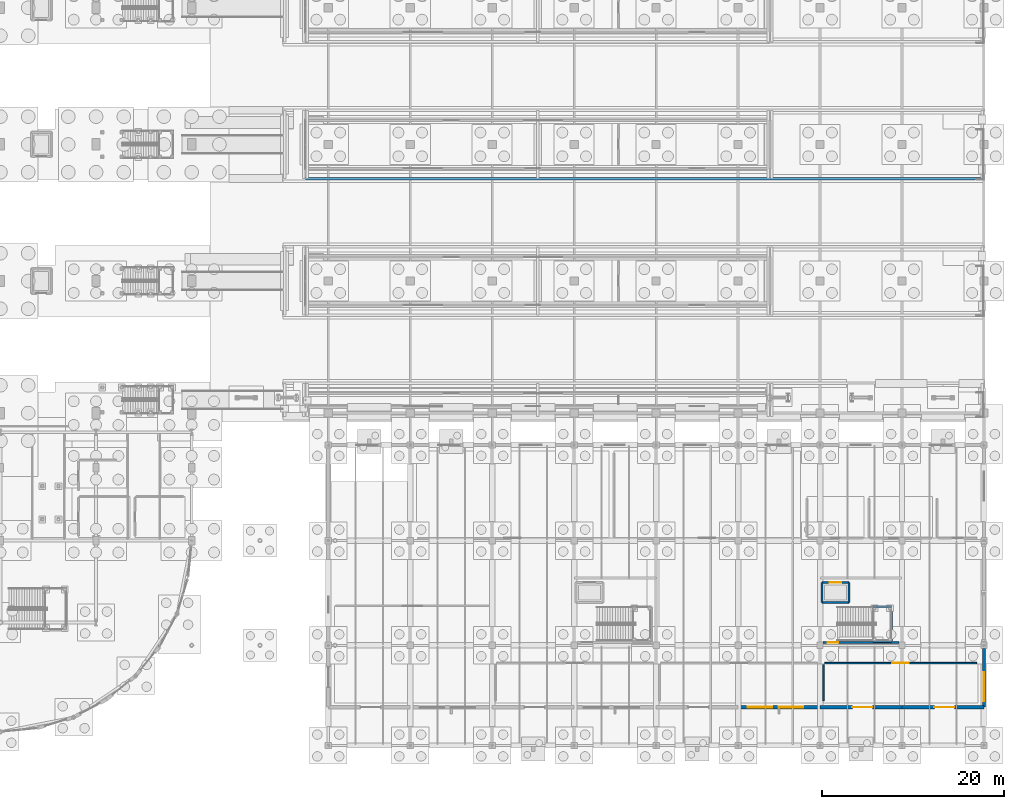
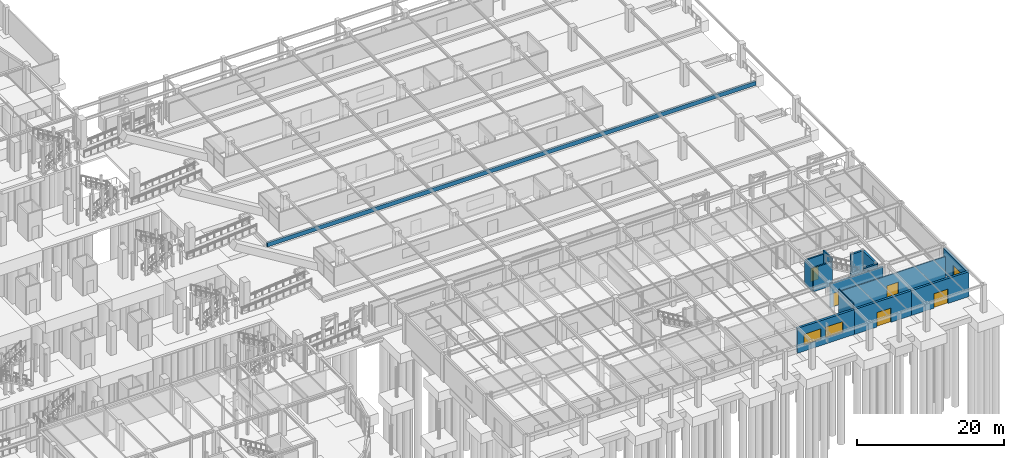
# One storey, part 109 of 160: 15 walls, 5 doors, 3 windows, 8 openings.
"""IFC4 building model written with IfcOpenShell, lengths in metres."""

from ifc_helpers import new_model, si_unit, direction, frame, frame_2d, origin, place, context, subcontext, project, spatial, rectangle, extrude, material, layer, layer_set, type_object, element, fill, save


model = new_model("IFC4")

# Units and contexts
model_context = context("Model", 3, precision=1e-05, world=origin(), true_north=direction((0.0, 1.0)))
body_context = subcontext(model_context, "Body", "Model", "MODEL_VIEW")
ifc_project = project(units=[si_unit("LENGTHUNIT", "METRE"), si_unit("AREAUNIT", "SQUARE_METRE"), si_unit("VOLUMEUNIT", "CUBIC_METRE"), si_unit("PLANEANGLEUNIT", "RADIAN"), si_unit("MASSUNIT", "GRAM", prefix="KILO")], contexts=[model_context])

# Site, building, storey
site_placement = place(None, origin())
site = spatial("IfcSite", under=ifc_project, at=site_placement, CompositionType="ELEMENT")
building_placement = place(site_placement, origin())
building = spatial("IfcBuilding", under=site, at=building_placement, Name="Marlcrest Central Station", CompositionType="ELEMENT")
storey_placement = place(building_placement, origin())
storey = spatial("IfcBuildingStorey", under=building, at=storey_placement, Name="L00", CompositionType="ELEMENT", Elevation=0.0)

# Wall, openings, windows
ifc_material_1 = material(Name="St. Thomas limestone on Concrete C40/50", Category="masonry")
ifc_layer_1 = layer(ifc_material_1, 0.360107421875, Name="EW-06")
ifc_layer_set_1 = layer_set([ifc_layer_1], Name="St. Thomas limestone on Concrete C40/50")
wall_type_1 = type_object("IfcWallType", Name="EW-06", PredefinedType="SOLIDWALL", material=ifc_layer_set_1)
wall_1_placement = place(storey_placement, frame((198.0, 4.199951171875, 0.0), z_axis=(0.0, 0.0, 1.0), x_axis=(-1.0, 0.0, 0.0)))
wall_1 = element("IfcWall", 1, at=wall_1_placement, inside=storey, type_object=wall_type_1, Name="ewall-L00-0047", PredefinedType="SOLIDWALL", context=body_context, shape_type="SweptSolid", body=[
    extrude(rectangle(XDim=9.0, YDim=0.360107421875, at=frame_2d((4.5, 0.0))), origin(), (0.0, 0.0, 1.0), 4.14990234375),
])
opening_1_placement = place(wall_1_placement, frame((1.85009765625, 0.0, 1.0)))
opening_1 = element("IfcOpeningElement", 2, at=opening_1_placement, cuts=wall_1, Name="Opening WN-06", PredefinedType="OPENING", context=body_context, shape_type="SweptSolid", body=[
    extrude(rectangle(XDim=2.699951171875, YDim=1.800048828125, at=frame_2d((1.35009765625, 0.89990234375))), frame((0.0, 0.18994140625, 0.0), z_axis=(0.0, -1.0, 0.0), x_axis=(1.0, 0.0, 0.0)), (0.0, 0.0, 1.0), 0.380126953125),
])
opening_2_placement = place(wall_1_placement, frame((5.25, 0.0, 1.0)))
opening_2 = element("IfcOpeningElement", 3, at=opening_2_placement, cuts=wall_1, Name="Opening WN-06", PredefinedType="OPENING", context=body_context, shape_type="SweptSolid", body=[
    extrude(rectangle(XDim=2.699951171875, YDim=1.800048828125, at=frame_2d((1.35009765625, 0.89990234375))), frame((0.0, 0.18994140625, 0.0), z_axis=(0.0, -1.0, 0.0), x_axis=(1.0, 0.0, 0.0)), (0.0, 0.0, 1.0), 0.380126953125),
])
ifc_material_2 = material(Name="Thermally broken bronze-anodised aluminium and laminated low-E glass", Category="aluminium")
window_type_1 = type_object("IfcWindowType", Name="WN-06", PartitioningType="SINGLE_PANEL", PredefinedType="WINDOW", material=ifc_material_2)
window_1_placement = place(opening_1_placement, origin())
window_1 = element("IfcWindow", 4, at=window_1_placement, inside=storey, type_object=window_type_1, Name="ewin-L00-0015", OverallHeight=1.800048828125, OverallWidth=2.699951171875, PartitioningType="SINGLE_PANEL", PredefinedType="WINDOW", context=body_context, shape_type="SweptSolid", body=[
    extrude(rectangle(XDim=2.699951171875, YDim=1.800048828125, at=frame_2d((1.35009765625, 0.89990234375))), frame((0.0, 0.030029296875, 0.0), z_axis=(0.0, -1.0, 0.0), x_axis=(1.0, 0.0, 0.0)), (0.0, 0.0, 1.0), 0.06005859375),
])
fill(opening_1, window_1)
window_2_placement = place(opening_2_placement, origin())
window_2 = element("IfcWindow", 5, at=window_2_placement, inside=storey, type_object=window_type_1, Name="ewin-L00-0016", OverallHeight=1.800048828125, OverallWidth=2.699951171875, PartitioningType="SINGLE_PANEL", PredefinedType="WINDOW", context=body_context, shape_type="SweptSolid", body=[
    extrude(rectangle(XDim=2.699951171875, YDim=1.800048828125, at=frame_2d((1.35009765625, 0.89990234375))), frame((0.0, 0.030029296875, 0.0), z_axis=(0.0, -1.0, 0.0), x_axis=(1.0, 0.0, 0.0)), (0.0, 0.0, 1.0), 0.06005859375),
])
fill(opening_2, window_2)

# Wall, opening, door
wall_2_placement = place(storey_placement, frame((207.0, 4.199951171875, 0.0), z_axis=(0.0, 0.0, 1.0), x_axis=(-1.0, 0.0, 0.0)))
wall_2 = element("IfcWall", 6, at=wall_2_placement, inside=storey, type_object=wall_type_1, Name="ewall-L00-0049", PredefinedType="SOLIDWALL", context=body_context, shape_type="SweptSolid", body=[
    extrude(rectangle(XDim=9.0, YDim=0.360107421875, at=frame_2d((4.5, 0.0))), origin(), (0.0, 0.0, 1.0), 4.14990234375),
])
opening_3_placement = place(wall_2_placement, frame((3.25, 0.0, 0.0)))
opening_3 = element("IfcOpeningElement", 7, at=opening_3_placement, cuts=wall_2, Name="Opening ED-01", PredefinedType="OPENING", context=body_context, shape_type="SweptSolid", body=[
    extrude(rectangle(XDim=2.199951171875, YDim=2.39990234375, at=frame_2d((1.10009765625, 1.199951171875))), frame((0.0, 0.18994140625, 0.0), z_axis=(0.0, -1.0, 0.0), x_axis=(1.0, 0.0, 0.0)), (0.0, 0.0, 1.0), 0.380126953125),
])
ifc_material_3 = material(Name="Thermally broken anodised aluminium and laminated safety glass", Category="aluminium")
door_type_1 = type_object("IfcDoorType", Name="ED-01", OperationType="DOUBLE_DOOR_SINGLE_SWING", PredefinedType="DOOR", material=ifc_material_3)
door_1_placement = place(opening_3_placement, origin())
door_1 = element("IfcDoor", 8, at=door_1_placement, inside=storey, type_object=door_type_1, Name="Retail Arcade Street Exit Door 025", OperationType="DOUBLE_DOOR_SINGLE_SWING", OverallHeight=2.39990234375, OverallWidth=2.199951171875, PredefinedType="DOOR", context=body_context, shape_type="SweptSolid", body=[
    extrude(rectangle(XDim=2.199951171875, YDim=2.39990234375, at=frame_2d((1.10009765625, 1.199951171875))), frame((0.0, 0.02490234375, 0.0), z_axis=(0.0, -1.0, 0.0), x_axis=(1.0, 0.0, 0.0)), (0.0, 0.0, 1.0), 0.050048828125),
])
fill(opening_3, door_1)

wall_3_placement = place(storey_placement, frame((216.0, 4.199951171875, 0.0), z_axis=(0.0, 0.0, 1.0), x_axis=(-1.0, 0.0, 0.0)))
wall_3 = element("IfcWall", 9, at=wall_3_placement, inside=storey, type_object=wall_type_1, Name="ewall-L00-0051", PredefinedType="SOLIDWALL", context=body_context, shape_type="SweptSolid", body=[
    extrude(rectangle(XDim=9.0, YDim=0.360107421875, at=frame_2d((4.5, 0.0))), origin(), (0.0, 0.0, 1.0), 4.14990234375),
])
opening_4_placement = place(wall_3_placement, frame((3.25, 0.0, 0.0)))
opening_4 = element("IfcOpeningElement", 10, at=opening_4_placement, cuts=wall_3, Name="Opening ED-01", PredefinedType="OPENING", context=body_context, shape_type="SweptSolid", body=[
    extrude(rectangle(XDim=2.199951171875, YDim=2.39990234375, at=frame_2d((1.10009765625, 1.199951171875))), frame((0.0, 0.18994140625, 0.0), z_axis=(0.0, -1.0, 0.0), x_axis=(1.0, 0.0, 0.0)), (0.0, 0.0, 1.0), 0.380126953125),
])
door_2_placement = place(opening_4_placement, origin())
door_2 = element("IfcDoor", 11, at=door_2_placement, inside=storey, type_object=door_type_1, Name="Retail Arcade Street Exit Door 027", OperationType="DOUBLE_DOOR_SINGLE_SWING", OverallHeight=2.39990234375, OverallWidth=2.199951171875, PredefinedType="DOOR", context=body_context, shape_type="SweptSolid", body=[
    extrude(rectangle(XDim=2.199951171875, YDim=2.39990234375, at=frame_2d((1.10009765625, 1.199951171875))), frame((0.0, 0.02490234375, 0.0), z_axis=(0.0, -1.0, 0.0), x_axis=(1.0, 0.0, 0.0)), (0.0, 0.0, 1.0), 0.050048828125),
])
fill(opening_4, door_2)

# Wall, opening, window
wall_4_placement = place(storey_placement, frame((216.0, 10.64990234375, 0.0), z_axis=(0.0, 0.0, 1.0), x_axis=(0.0, -1.0, 0.0)))
wall_4 = element("IfcWall", 12, at=wall_4_placement, inside=storey, type_object=wall_type_1, Name="ewall-L00-0054", PredefinedType="SOLIDWALL", context=body_context, shape_type="SweptSolid", body=[
    extrude(rectangle(XDim=6.449951171875, YDim=0.360107421875, at=frame_2d((3.22509765625, 0.0))), origin(), (0.0, 0.0, 1.0), 4.14990234375),
])
opening_5_placement = place(wall_4_placement, frame((2.60009765625, 0.0, 1.050048828125)))
opening_5 = element("IfcOpeningElement", 13, at=opening_5_placement, cuts=wall_4, Name="Opening WN-07", PredefinedType="OPENING", context=body_context, shape_type="SweptSolid", body=[
    extrude(rectangle(XDim=3.199951171875, YDim=1.800048828125, at=frame_2d((1.60009765625, 0.89990234375))), frame((0.0, 0.18994140625, 0.0), z_axis=(0.0, -1.0, 0.0), x_axis=(1.0, 0.0, 0.0)), (0.0, 0.0, 1.0), 0.380126953125),
])
window_type_2 = type_object("IfcWindowType", Name="WN-07", PartitioningType="SINGLE_PANEL", PredefinedType="WINDOW", material=ifc_material_2)
window_3_placement = place(opening_5_placement, origin())
window_3 = element("IfcWindow", 14, at=window_3_placement, inside=storey, type_object=window_type_2, Name="ewin-L00-0019", OverallHeight=1.800048828125, OverallWidth=3.199951171875, PartitioningType="SINGLE_PANEL", PredefinedType="WINDOW", context=body_context, shape_type="SweptSolid", body=[
    extrude(rectangle(XDim=3.199951171875, YDim=1.800048828125, at=frame_2d((1.60009765625, 0.89990234375))), frame((0.0, 0.030029296875, 0.0), z_axis=(0.0, -1.0, 0.0), x_axis=(1.0, 0.0, 0.0)), (0.0, 0.0, 1.0), 0.06005859375),
])
fill(opening_5, window_3)

# Wall, opening, door
ifc_material_4 = material(Name="Retail tenancy demising partition")
ifc_layer_2 = layer(ifc_material_4, 0.14990234375, Name="PT-05")
ifc_layer_set_2 = layer_set([ifc_layer_2], Name="Retail tenancy demising partition")
wall_type_2 = type_object("IfcWallType", Name="PT-05", PredefinedType="PARTITIONING", material=ifc_layer_set_2)
wall_5_placement = place(storey_placement, frame((198.510009765625, 9.0400390625, 0.0), z_axis=(0.0, 0.0, 1.0), x_axis=(1.0, 0.0, 0.0)))
wall_5 = element("IfcWall", 15, at=wall_5_placement, inside=storey, type_object=wall_type_2, Name="iwall-L00-00041", PredefinedType="PARTITIONING", context=body_context, shape_type="SweptSolid", body=[
    extrude(rectangle(XDim=16.679931640625, YDim=0.14990234375, at=frame_2d((8.33984375, 0.0))), origin(), (0.0, 0.0, 1.0), 3.97509765625),
])
opening_6_placement = place(wall_5_placement, frame((7.43994140625, 0.0, 0.0)))
opening_6 = element("IfcOpeningElement", 16, at=opening_6_placement, cuts=wall_5, Name="Opening ID-06", PredefinedType="OPENING", context=body_context, shape_type="SweptSolid", body=[
    extrude(rectangle(XDim=1.800048828125, YDim=2.300048828125, at=frame_2d((0.89990234375, 1.14990234375))), frame((0.0, 0.0849609375, 0.0), z_axis=(0.0, -1.0, 0.0), x_axis=(1.0, 0.0, 0.0)), (0.0, 0.0, 1.0), 0.169921875),
])
ifc_material_5 = material(Name="Double retail and cafe entrance door")
door_type_2 = type_object("IfcDoorType", Name="ID-06", OperationType="DOUBLE_DOOR_SINGLE_SWING", PredefinedType="DOOR", material=ifc_material_5)
door_3_placement = place(opening_6_placement, origin())
door_3 = element("IfcDoor", 17, at=door_3_placement, inside=storey, type_object=door_type_2, Name="L00-V4D 0027", OperationType="DOUBLE_DOOR_SINGLE_SWING", OverallHeight=2.300048828125, OverallWidth=1.800048828125, PredefinedType="DOOR", context=body_context, shape_type="SweptSolid", body=[
    extrude(rectangle(XDim=1.800048828125, YDim=2.300048828125, at=frame_2d((0.89990234375, 1.14990234375))), frame((0.0, 0.02490234375, 0.0), z_axis=(0.0, -1.0, 0.0), x_axis=(1.0, 0.0, 0.0)), (0.0, 0.0, 1.0), 0.050048828125),
])
fill(opening_6, door_3)

# Walls
wall_6_placement = place(storey_placement, frame((198.360107421875, 4.909912109375, 0.0), z_axis=(0.0, 0.0, 1.0), x_axis=(0.0, 1.0, 0.0)))
element("IfcWall", 18, at=wall_6_placement, inside=storey, type_object=wall_type_2, Name="iwall-L00-00042", PredefinedType="PARTITIONING", context=body_context, shape_type="SweptSolid", body=[
    extrude(rectangle(XDim=3.97998046875, YDim=0.14990234375, at=frame_2d((1.989990234375, 0.0))), origin(), (0.0, 0.0, 1.0), 4.550048828125),
])
ifc_material_6 = material(Name="Concrete C35/45", Category="concrete")
ifc_layer_3 = layer(ifc_material_6, 0.27490234375, Name="PW-01")
ifc_layer_set_3 = layer_set([ifc_layer_3], Name="Concrete C35/45")
wall_type_3 = type_object("IfcWallType", Name="PW-01", PredefinedType="SOLIDWALL", material=ifc_layer_set_3)
wall_7_placement = place(storey_placement, frame((139.0, 62.25, 0.0), z_axis=(0.0, 0.0, 1.0), x_axis=(1.0, 0.0, 0.0)))
element("IfcWall", 19, at=wall_7_placement, inside=storey, type_object=wall_type_3, Name="swall-L00-0110", PredefinedType="SOLIDWALL", context=body_context, shape_type="SweptSolid", body=[
    extrude(rectangle(XDim=77.0, YDim=0.27490234375, at=frame_2d((38.5, 0.0))), origin(), (0.0, 0.0, 1.0), 0.675048828125),
])

# Wall, opening, door
ifc_material_7 = material(Name="Concrete C40/50", Category="concrete")
ifc_layer_4 = layer(ifc_material_7, 0.22998046875, Name="SHW-01")
ifc_layer_set_4 = layer_set([ifc_layer_4], Name="Concrete C40/50")
wall_type_4 = type_object("IfcWallType", Name="SHW-01", PredefinedType="SOLIDWALL", material=ifc_layer_set_4)
wall_8_placement = place(storey_placement, frame((198.219970703125, 17.8798828125, 0.0), z_axis=(0.0, 0.0, 1.0), x_axis=(1.0, 0.0, 0.0)))
wall_8 = element("IfcWall", 20, at=wall_8_placement, inside=storey, type_object=wall_type_4, Name="iwall-L00-00331", PredefinedType="SOLIDWALL", context=body_context, shape_type="SweptSolid", body=[
    extrude(rectangle(XDim=2.9599609375, YDim=0.22998046875, at=frame_2d((1.47998046875, 0.0))), origin(), (0.0, 0.0, 1.0), 3.97509765625),
])
opening_7_placement = place(wall_8_placement, frame((0.85498046875, 0.0, 0.0)))
opening_7 = element("IfcOpeningElement", 21, at=opening_7_placement, cuts=wall_8, Name="Opening LD-02", PredefinedType="OPENING", context=body_context, shape_type="SweptSolid", body=[
    extrude(rectangle(XDim=1.25, YDim=2.199951171875, at=frame_2d((0.625, 1.10009765625))), frame((0.0, 0.125, 0.0), z_axis=(0.0, -1.0, 0.0), x_axis=(1.0, 0.0, 0.0)), (0.0, 0.0, 1.0), 0.25),
])
ifc_material_8 = material(Name="Stainless steel stretcher/firefighting lift landing door", Category="steel")
door_type_3 = type_object("IfcDoorType", Name="LD-02", OperationType="DOUBLE_DOOR_SLIDING", PredefinedType="DOOR", material=ifc_material_8)
door_4_placement = place(opening_7_placement, origin())
door_4 = element("IfcDoor", 22, at=door_4_placement, inside=storey, type_object=door_type_3, Name="LF-R2 Lift Landing Door 0153", OperationType="DOUBLE_DOOR_SLIDING", OverallHeight=2.199951171875, OverallWidth=1.25, PredefinedType="DOOR", context=body_context, shape_type="SweptSolid", body=[
    extrude(rectangle(XDim=1.25, YDim=2.199951171875, at=frame_2d((0.625, 1.10009765625))), frame((0.0, 0.02490234375, 0.0), z_axis=(0.0, -1.0, 0.0), x_axis=(1.0, 0.0, 0.0)), (0.0, 0.0, 1.0), 0.050048828125),
])
fill(opening_7, door_4)

# Walls
wall_9_placement = place(storey_placement, frame((201.179931640625, 15.719970703125, 0.0), z_axis=(0.0, 0.0, 1.0), x_axis=(-1.0, 0.0, 0.0)))
element("IfcWall", 23, at=wall_9_placement, inside=storey, type_object=wall_type_4, Name="iwall-L00-00332", PredefinedType="SOLIDWALL", context=body_context, shape_type="SweptSolid", body=[
    extrude(rectangle(XDim=2.9599609375, YDim=0.22998046875, at=frame_2d((1.47998046875, 0.0))), origin(), (0.0, 0.0, 1.0), 3.97509765625),
])
wall_10_placement = place(storey_placement, frame((198.219970703125, 15.719970703125, 0.0), z_axis=(0.0, 0.0, 1.0), x_axis=(0.0, 1.0, 0.0)))
element("IfcWall", 24, at=wall_10_placement, inside=storey, type_object=wall_type_4, Name="iwall-L00-00333", PredefinedType="SOLIDWALL", context=body_context, shape_type="SweptSolid", body=[
    extrude(rectangle(XDim=2.159912109375, YDim=0.22998046875, at=frame_2d((1.080078125, 0.0))), origin(), (0.0, 0.0, 1.0), 3.97509765625),
])
wall_11_placement = place(storey_placement, frame((201.179931640625, 17.8798828125, 0.0), z_axis=(0.0, 0.0, 1.0), x_axis=(0.0, -1.0, 0.0)))
element("IfcWall", 25, at=wall_11_placement, inside=storey, type_object=wall_type_4, Name="iwall-L00-00334", PredefinedType="SOLIDWALL", context=body_context, shape_type="SweptSolid", body=[
    extrude(rectangle(XDim=2.159912109375, YDim=0.22998046875, at=frame_2d((1.080078125, 0.0))), origin(), (0.0, 0.0, 1.0), 4.56005859375),
])

# Wall, opening, door
wall_12_placement = place(storey_placement, frame((198.300048828125, 11.300048828125, 0.0), z_axis=(0.0, 0.0, 1.0), x_axis=(1.0, 0.0, 0.0)))
wall_12 = element("IfcWall", 26, at=wall_12_placement, inside=storey, type_object=wall_type_4, Name="iwall-L00-00421", PredefinedType="SOLIDWALL", context=body_context, shape_type="SweptSolid", body=[
    extrude(rectangle(XDim=8.349853515625, YDim=0.22998046875, at=frame_2d((4.1748046875, 0.0))), origin(), (0.0, 0.0, 1.0), 3.97509765625),
])
opening_8_placement = place(wall_12_placement, frame((0.550048828125, 0.0, 0.0)))
opening_8 = element("IfcOpeningElement", 27, at=opening_8_placement, cuts=wall_12, Name="Opening FD-90", PredefinedType="OPENING", context=body_context, shape_type="SweptSolid", body=[
    extrude(rectangle(XDim=1.14990234375, YDim=2.199951171875, at=frame_2d((0.574951171875, 1.10009765625))), frame((0.0, 0.125, 0.0), z_axis=(0.0, -1.0, 0.0), x_axis=(1.0, 0.0, 0.0)), (0.0, 0.0, 1.0), 0.25),
])
ifc_material_9 = material(Name="90-minute stair and firefighting-lobby fire door")
door_type_4 = type_object("IfcDoorType", Name="FD-90", OperationType="NOTDEFINED", PredefinedType="DOOR", material=ifc_material_9)
door_5_placement = place(opening_8_placement, origin())
door_5 = element("IfcDoor", 28, at=door_5_placement, inside=storey, type_object=door_type_4, Name="ST-R20 Stair Enclosure Door 0178", OperationType="SINGLE_SWING_LEFT", OverallHeight=2.199951171875, OverallWidth=1.14990234375, PredefinedType="DOOR", context=body_context, shape_type="SweptSolid", body=[
    extrude(rectangle(XDim=1.14990234375, YDim=2.199951171875, at=frame_2d((0.574951171875, 1.10009765625))), frame((0.0, 0.02490234375, 0.0), z_axis=(0.0, -1.0, 0.0), x_axis=(1.0, 0.0, 0.0)), (0.0, 0.0, 1.0), 0.050048828125),
])
fill(opening_8, door_5)

# Walls
ifc_material_10 = material(Name="Concrete C50/60", Category="concrete")
ifc_layer_5 = layer(ifc_material_10, 0.300048828125, Name="SW-02")
ifc_layer_set_5 = layer_set([ifc_layer_5], Name="Concrete C50/60")
wall_type_5 = type_object("IfcWallType", Name="SW-02", PredefinedType="SHEAR", material=ifc_layer_set_5)
wall_13_placement = place(storey_placement, frame((203.830078125, 11.469970703125, 0.0), z_axis=(0.0, 0.0, 1.0), x_axis=(1.0, 0.0, 0.0)))
element("IfcWall", 29, at=wall_13_placement, inside=storey, type_object=wall_type_5, Name="htsw-0038-S", PredefinedType="SHEAR", context=body_context, shape_type="SweptSolid", body=[
    extrude(rectangle(XDim=2.0, YDim=0.300048828125, at=frame_2d((1.0, 0.0))), origin(), (0.0, 0.0, 1.0), 4.550048828125),
])
wall_14_placement = place(storey_placement, frame((205.830078125, 11.469970703125, 0.0), z_axis=(0.0, 0.0, 1.0), x_axis=(0.0, 1.0, 0.0)))
element("IfcWall", 30, at=wall_14_placement, inside=storey, type_object=wall_type_5, Name="htsw-0038-E", PredefinedType="SHEAR", context=body_context, shape_type="SweptSolid", body=[
    extrude(rectangle(XDim=3.760009765625, YDim=0.300048828125, at=frame_2d((1.8798828125, 0.0))), origin(), (0.0, 0.0, 1.0), 4.550048828125),
])
wall_15_placement = place(storey_placement, frame((205.830078125, 15.22998046875, 0.0), z_axis=(0.0, 0.0, 1.0), x_axis=(-1.0, 0.0, 0.0)))
element("IfcWall", 31, at=wall_15_placement, inside=storey, type_object=wall_type_5, Name="htsw-0038-N", PredefinedType="SHEAR", context=body_context, shape_type="SweptSolid", body=[
    extrude(rectangle(XDim=2.0, YDim=0.300048828125, at=frame_2d((1.0, 0.0))), origin(), (0.0, 0.0, 1.0), 4.550048828125),
])

save(model, "model.ifc")
